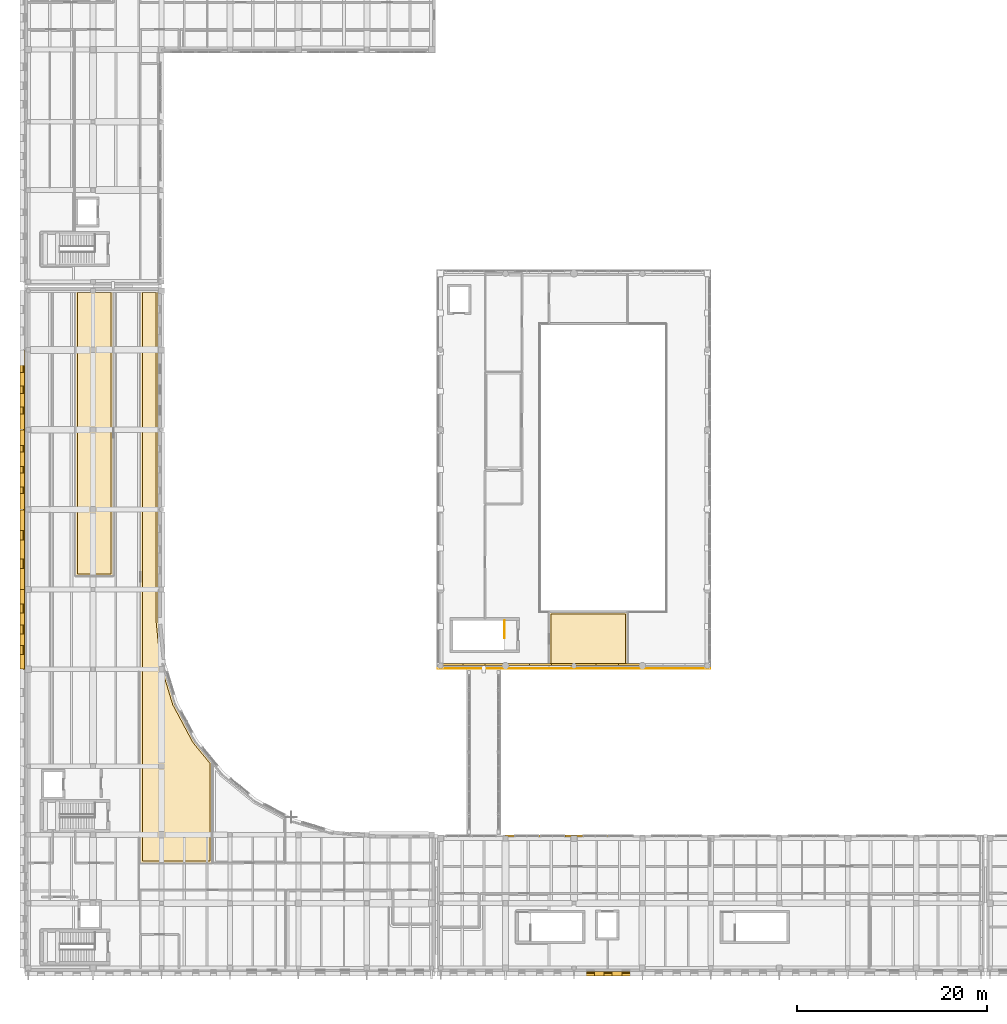
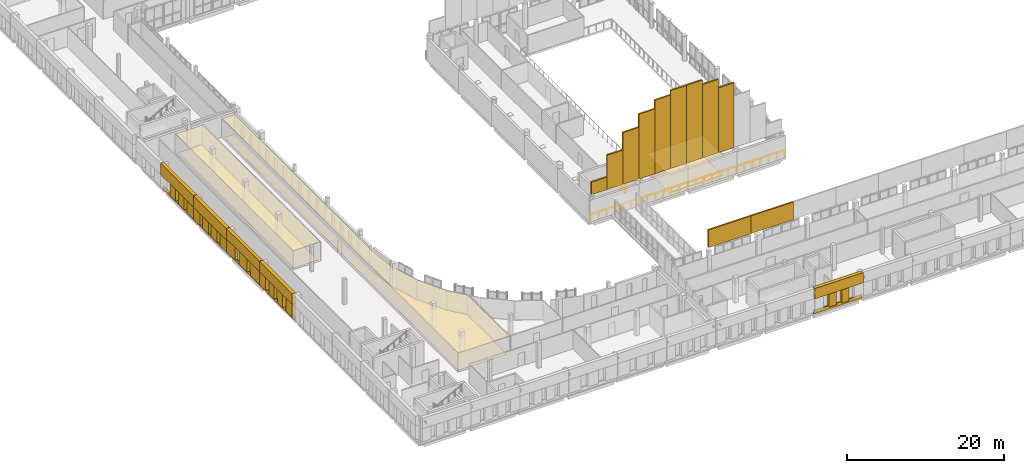
# One storey, part 67 of 76: 43 coverings, 2 railings.
"""IFC4 building model written with IfcOpenShell, lengths in metres."""

from ifc_helpers import new_model, si_unit, direction, frame, origin, origin_2d, place, context, subcontext, project, spatial, polyline, circle, outline, extrude, material, layer, layer_set, type_object, element, save


model = new_model("IFC4")

# Units and contexts
model_context = context("Model", 3, precision=1e-05, world=origin(), true_north=direction((0.0, 1.0)))
body_context = subcontext(model_context, "Body", "Model", "MODEL_VIEW")
ifc_project = project(units=[si_unit("LENGTHUNIT", "METRE"), si_unit("AREAUNIT", "SQUARE_METRE"), si_unit("VOLUMEUNIT", "CUBIC_METRE"), si_unit("PLANEANGLEUNIT", "RADIAN"), si_unit("MASSUNIT", "GRAM", prefix="KILO")], contexts=[model_context])

# Site, building, storey
site_placement = place(None, origin())
site = spatial("IfcSite", under=ifc_project, at=site_placement, CompositionType="ELEMENT")
building_placement = place(site_placement, origin())
building = spatial("IfcBuilding", under=site, at=building_placement, Name="Vardoun Plaza Health Centre", CompositionType="ELEMENT")
storey_placement = place(building_placement, frame((0.0, 0.0, 4.5)))
storey = spatial("IfcBuildingStorey", under=building, at=storey_placement, Name="L01", CompositionType="ELEMENT", Elevation=4.5)

# Coverings
ifc_material_1 = material(Name="Hygienic Acoustic Mineral-Fibre Ceiling", Category="concrete")
ifc_layer_1 = layer(ifc_material_1, 0.02490234375)
ifc_layer_set_1 = layer_set([ifc_layer_1], Name="Hygienic Acoustic Mineral-Fibre Ceiling")
covering_type_1 = type_object("IfcCoveringType", Name="CL-01", PredefinedType="CEILING", material=ifc_layer_set_1)
covering_1_placement = place(storey_placement, frame((0.0, 0.0, 2.8798828125)))
element("IfcCovering", 1, at=covering_1_placement, inside=storey, type_object=covering_type_1, Name="Waiting Concourse Gallery South Acoustic Ceiling", PredefinedType="CEILING", context=body_context, shape_type="SweptSolid", body=[
    extrude(outline(polyline([(59.679931640625, 36.659912109375), (59.679931640625, 42.340087890625), (67.909912109375, 42.340087890625), (67.909912109375, 36.659912109375), (59.679931640625, 36.659912109375)])), origin(), (0.0, 0.0, 1.0), 0.025146484375),
])
covering_2_placement = place(storey_placement, frame((0.0, 0.0, 2.8798828125)))
element("IfcCovering", 2, at=covering_2_placement, inside=storey, type_object=covering_type_1, Name="GP Consulting Room 11 Acoustic Ceiling", PredefinedType="CEILING", context=body_context, shape_type="SweptSolid", body=[
    extrude(outline(polyline([(18.541748046875, 41.365234375), (18.541748046875, 41.36474609375), (18.97412109375, 36.97509765625), (18.97412109375, 36.974609375), (18.97900390625, 36.940673828125), (18.979248046875, 36.939697265625), (18.98779296875, 36.906494140625), (18.98779296875, 36.906005859375), (20.268310546875, 32.68505859375), (20.268310546875, 32.6845703125), (20.27978515625, 32.65234375), (20.2802734375, 32.6513671875), (20.294921875, 32.620361328125), (20.295166015625, 32.619873046875), (22.37451171875, 28.72998046875), (22.37451171875, 28.7294921875), (22.392333984375, 28.7001953125), (22.392822265625, 28.69921875), (22.413330078125, 28.671630859375), (22.41357421875, 28.67138671875), (24.2099609375, 26.482421875), (24.2099609375, 15.929931640625), (16.679931640625, 15.929931640625), (16.679931640625, 76.139892578125), (18.5400390625, 76.139892578125), (18.5400390625, 41.39990234375), (18.5400390625, 41.3994140625), (18.541748046875, 41.365234375)])), origin(), (0.0, 0.0, 1.0), 0.025146484375),
])
covering_3_placement = place(storey_placement, frame((0.0, 0.0, 2.8798828125)))
element("IfcCovering", 3, at=covering_3_placement, inside=storey, type_object=covering_type_1, Name="GP Consulting Room 13 Acoustic Ceiling", PredefinedType="CEILING", context=body_context, shape_type="SweptSolid", body=[
    extrude(outline(polyline([(9.85009765625, 76.139892578125), (13.820068359375, 76.139892578125), (13.820068359375, 46.125), (9.85009765625, 46.125), (9.85009765625, 76.139892578125)])), origin(), (0.0, 0.0, 1.0), 0.025146484375),
])
ifc_material_2 = material(Name="Pale Limestone Concrete C35/45", Category="masonry")
ifc_layer_2 = layer(ifc_material_2, 0.080078125)
ifc_layer_set_2 = layer_set([ifc_layer_2], Name="Pale Limestone Concrete C35/45")
covering_type_2 = type_object("IfcCoveringType", Name="CL-EXT1", PredefinedType="CLADDING", material=ifc_layer_set_2)
covering_4_placement = place(storey_placement, origin())
element("IfcCovering", 4, at=covering_4_placement, inside=storey, type_object=covering_type_2, Name="V2 L01 Pale Concrete Sill Band 141", PredefinedType="CLADDING", context=body_context, shape_type="SweptSolid", body=[
    extrude(outline(polyline([(4.5, 36.320068359375), (4.5, 44.679931640625), (4.360107421875, 44.679931640625), (4.360107421875, 36.320068359375), (4.5, 36.320068359375)])), origin(), (0.0, 0.0, 1.0), 0.550048828125),
])
covering_5_placement = place(storey_placement, frame((0.0, 0.0, 2.570068359375)))
element("IfcCovering", 5, at=covering_5_placement, inside=storey, type_object=covering_type_2, Name="V2 L01 Sculpted Concrete Eyebrow Hood 142", PredefinedType="CLADDING", context=body_context, shape_type="SweptSolid", body=[
    extrude(outline(polyline([(4.5, 36.320068359375), (4.5, 44.679931640625), (4.02001953125, 44.679931640625), (4.02001953125, 36.320068359375), (4.5, 36.320068359375)])), origin(), (0.0, 0.0, 1.0), 1.6298828125),
])
covering_6_placement = place(storey_placement, frame((0.0, 0.0, 0.550048828125)))
element("IfcCovering", 6, at=covering_6_placement, inside=storey, type_object=covering_type_2, Name="V2 L01 Deep-Punched Slot Concrete Reveal Pier 143", PredefinedType="CLADDING", context=body_context, shape_type="SweptSolid", body=[
    extrude(outline(polyline([(4.5, 36.320068359375), (4.5, 37.85107421875), (4.02001953125, 37.85107421875), (4.02001953125, 36.320068359375), (4.5, 36.320068359375)])), origin(), (0.0, 0.0, 1.0), 2.02001953125),
])
covering_7_placement = place(storey_placement, frame((0.0, 0.0, 0.550048828125)))
element("IfcCovering", 7, at=covering_7_placement, inside=storey, type_object=covering_type_2, Name="V2 L01 Deep-Punched Slot Concrete Reveal Pier 144", PredefinedType="CLADDING", context=body_context, shape_type="SweptSolid", body=[
    extrude(outline(polyline([(4.5, 38.781005859375), (4.5, 40.034912109375), (4.02001953125, 40.034912109375), (4.02001953125, 38.781005859375), (4.5, 38.781005859375)])), origin(), (0.0, 0.0, 1.0), 2.02001953125),
])
covering_8_placement = place(storey_placement, frame((0.0, 0.0, 0.550048828125)))
element("IfcCovering", 8, at=covering_8_placement, inside=storey, type_object=covering_type_2, Name="V2 L01 Deep-Punched Slot Concrete Reveal Pier 145", PredefinedType="CLADDING", context=body_context, shape_type="SweptSolid", body=[
    extrude(outline(polyline([(4.5, 40.965087890625), (4.5, 42.218994140625), (4.02001953125, 42.218994140625), (4.02001953125, 40.965087890625), (4.5, 40.965087890625)])), origin(), (0.0, 0.0, 1.0), 2.02001953125),
])
covering_9_placement = place(storey_placement, frame((0.0, 0.0, 0.550048828125)))
element("IfcCovering", 9, at=covering_9_placement, inside=storey, type_object=covering_type_2, Name="V2 L01 Deep-Punched Slot Concrete Reveal Pier 146", PredefinedType="CLADDING", context=body_context, shape_type="SweptSolid", body=[
    extrude(outline(polyline([(4.5, 43.14892578125), (4.5, 44.679931640625), (4.02001953125, 44.679931640625), (4.02001953125, 43.14892578125), (4.5, 43.14892578125)])), origin(), (0.0, 0.0, 1.0), 2.02001953125),
])
covering_10_placement = place(storey_placement, origin())
element("IfcCovering", 10, at=covering_10_placement, inside=storey, type_object=covering_type_2, Name="V2 L01 Pale Concrete Sill Band 147", PredefinedType="CLADDING", context=body_context, shape_type="SweptSolid", body=[
    extrude(outline(polyline([(4.5, 44.719970703125), (4.5, 53.080078125), (4.360107421875, 53.080078125), (4.360107421875, 44.719970703125), (4.5, 44.719970703125)])), origin(), (0.0, 0.0, 1.0), 0.550048828125),
])
covering_11_placement = place(storey_placement, frame((0.0, 0.0, 2.570068359375)))
element("IfcCovering", 11, at=covering_11_placement, inside=storey, type_object=covering_type_2, Name="V2 L01 Sculpted Concrete Eyebrow Hood 148", PredefinedType="CLADDING", context=body_context, shape_type="SweptSolid", body=[
    extrude(outline(polyline([(4.5, 44.719970703125), (4.5, 53.080078125), (4.02001953125, 53.080078125), (4.02001953125, 44.719970703125), (4.5, 44.719970703125)])), origin(), (0.0, 0.0, 1.0), 1.6298828125),
])
covering_12_placement = place(storey_placement, frame((0.0, 0.0, 0.550048828125)))
element("IfcCovering", 12, at=covering_12_placement, inside=storey, type_object=covering_type_2, Name="V2 L01 Deep-Punched Slot Concrete Reveal Pier 149", PredefinedType="CLADDING", context=body_context, shape_type="SweptSolid", body=[
    extrude(outline(polyline([(4.5, 44.719970703125), (4.5, 46.89306640625), (4.02001953125, 46.89306640625), (4.02001953125, 44.719970703125), (4.5, 44.719970703125)])), origin(), (0.0, 0.0, 1.0), 2.02001953125),
])
covering_13_placement = place(storey_placement, frame((0.0, 0.0, 0.550048828125)))
element("IfcCovering", 13, at=covering_13_placement, inside=storey, type_object=covering_type_2, Name="V2 L01 Deep-Punched Slot Concrete Reveal Pier 150", PredefinedType="CLADDING", context=body_context, shape_type="SweptSolid", body=[
    extrude(outline(polyline([(4.5, 47.883056640625), (4.5, 49.9169921875), (4.02001953125, 49.9169921875), (4.02001953125, 47.883056640625), (4.5, 47.883056640625)])), origin(), (0.0, 0.0, 1.0), 2.02001953125),
])
covering_14_placement = place(storey_placement, frame((0.0, 0.0, 0.550048828125)))
element("IfcCovering", 14, at=covering_14_placement, inside=storey, type_object=covering_type_2, Name="V2 L01 Deep-Punched Slot Concrete Reveal Pier 151", PredefinedType="CLADDING", context=body_context, shape_type="SweptSolid", body=[
    extrude(outline(polyline([(4.5, 50.906982421875), (4.5, 53.080078125), (4.02001953125, 53.080078125), (4.02001953125, 50.906982421875), (4.5, 50.906982421875)])), origin(), (0.0, 0.0, 1.0), 2.02001953125),
])
covering_15_placement = place(storey_placement, origin())
element("IfcCovering", 15, at=covering_15_placement, inside=storey, type_object=covering_type_2, Name="V2 L01 Pale Concrete Sill Band 152", PredefinedType="CLADDING", context=body_context, shape_type="SweptSolid", body=[
    extrude(outline(polyline([(4.5, 53.1201171875), (4.5, 61.47998046875), (4.360107421875, 61.47998046875), (4.360107421875, 53.1201171875), (4.5, 53.1201171875)])), origin(), (0.0, 0.0, 1.0), 0.550048828125),
])
covering_16_placement = place(storey_placement, frame((0.0, 0.0, 2.39990234375)))
element("IfcCovering", 16, at=covering_16_placement, inside=storey, type_object=covering_type_2, Name="V2 L01 Sculpted Concrete Eyebrow Hood 153", PredefinedType="CLADDING", context=body_context, shape_type="SweptSolid", body=[
    extrude(outline(polyline([(4.5, 53.1201171875), (4.5, 61.47998046875), (4.02001953125, 61.47998046875), (4.02001953125, 53.1201171875), (4.5, 53.1201171875)])), origin(), (0.0, 0.0, 1.0), 1.800048828125),
])
covering_17_placement = place(storey_placement, frame((0.0, 0.0, 0.550048828125)))
element("IfcCovering", 17, at=covering_17_placement, inside=storey, type_object=covering_type_2, Name="V2 L01 Deep-Punched Slot Concrete Reveal Pier 154", PredefinedType="CLADDING", context=body_context, shape_type="SweptSolid", body=[
    extrude(outline(polyline([(4.5, 53.1201171875), (4.5, 54.77587890625), (4.02001953125, 54.77587890625), (4.02001953125, 53.1201171875), (4.5, 53.1201171875)])), origin(), (0.0, 0.0, 1.0), 1.849853515625),
])
covering_18_placement = place(storey_placement, frame((0.0, 0.0, 0.550048828125)))
element("IfcCovering", 18, at=covering_18_placement, inside=storey, type_object=covering_type_2, Name="V2 L01 Deep-Punched Slot Concrete Reveal Pier 155", PredefinedType="CLADDING", context=body_context, shape_type="SweptSolid", body=[
    extrude(outline(polyline([(4.5, 55.4560546875), (4.5, 56.9599609375), (4.02001953125, 56.9599609375), (4.02001953125, 55.4560546875), (4.5, 55.4560546875)])), origin(), (0.0, 0.0, 1.0), 1.849853515625),
])
covering_19_placement = place(storey_placement, frame((0.0, 0.0, 0.550048828125)))
element("IfcCovering", 19, at=covering_19_placement, inside=storey, type_object=covering_type_2, Name="V2 L01 Deep-Punched Slot Concrete Reveal Pier 156", PredefinedType="CLADDING", context=body_context, shape_type="SweptSolid", body=[
    extrude(outline(polyline([(4.5, 57.639892578125), (4.5, 59.14404296875), (4.02001953125, 59.14404296875), (4.02001953125, 57.639892578125), (4.5, 57.639892578125)])), origin(), (0.0, 0.0, 1.0), 1.849853515625),
])
covering_20_placement = place(storey_placement, frame((0.0, 0.0, 0.550048828125)))
element("IfcCovering", 20, at=covering_20_placement, inside=storey, type_object=covering_type_2, Name="V2 L01 Deep-Punched Slot Concrete Reveal Pier 157", PredefinedType="CLADDING", context=body_context, shape_type="SweptSolid", body=[
    extrude(outline(polyline([(4.5, 59.823974609375), (4.5, 61.47998046875), (4.02001953125, 61.47998046875), (4.02001953125, 59.823974609375), (4.5, 59.823974609375)])), origin(), (0.0, 0.0, 1.0), 1.849853515625),
])
covering_21_placement = place(storey_placement, origin())
element("IfcCovering", 21, at=covering_21_placement, inside=storey, type_object=covering_type_2, Name="V2 L01 Pale Concrete Sill Band 158", PredefinedType="CLADDING", context=body_context, shape_type="SweptSolid", body=[
    extrude(outline(polyline([(4.5, 61.52001953125), (4.5, 69.8798828125), (4.360107421875, 69.8798828125), (4.360107421875, 61.52001953125), (4.5, 61.52001953125)])), origin(), (0.0, 0.0, 1.0), 0.550048828125),
])
covering_22_placement = place(storey_placement, frame((0.0, 0.0, 2.39990234375)))
element("IfcCovering", 22, at=covering_22_placement, inside=storey, type_object=covering_type_2, Name="V2 L01 Sculpted Concrete Eyebrow Hood 159", PredefinedType="CLADDING", context=body_context, shape_type="SweptSolid", body=[
    extrude(outline(polyline([(4.5, 61.52001953125), (4.5, 69.8798828125), (4.02001953125, 69.8798828125), (4.02001953125, 61.52001953125), (4.5, 61.52001953125)])), origin(), (0.0, 0.0, 1.0), 1.800048828125),
])
covering_23_placement = place(storey_placement, frame((0.0, 0.0, 0.550048828125)))
element("IfcCovering", 23, at=covering_23_placement, inside=storey, type_object=covering_type_2, Name="V2 L01 Deep-Punched Slot Concrete Reveal Pier 160", PredefinedType="CLADDING", context=body_context, shape_type="SweptSolid", body=[
    extrude(outline(polyline([(4.5, 61.52001953125), (4.5, 63.135986328125), (4.02001953125, 63.135986328125), (4.02001953125, 61.52001953125), (4.5, 61.52001953125)])), origin(), (0.0, 0.0, 1.0), 1.849853515625),
])
covering_24_placement = place(storey_placement, frame((0.0, 0.0, 0.550048828125)))
element("IfcCovering", 24, at=covering_24_placement, inside=storey, type_object=covering_type_2, Name="V2 L01 Deep-Punched Slot Concrete Reveal Pier 161", PredefinedType="CLADDING", context=body_context, shape_type="SweptSolid", body=[
    extrude(outline(polyline([(4.5, 63.89599609375), (4.5, 65.320068359375), (4.02001953125, 65.320068359375), (4.02001953125, 63.89599609375), (4.5, 63.89599609375)])), origin(), (0.0, 0.0, 1.0), 1.849853515625),
])
covering_25_placement = place(storey_placement, frame((0.0, 0.0, 0.550048828125)))
element("IfcCovering", 25, at=covering_25_placement, inside=storey, type_object=covering_type_2, Name="V2 L01 Deep-Punched Slot Concrete Reveal Pier 162", PredefinedType="CLADDING", context=body_context, shape_type="SweptSolid", body=[
    extrude(outline(polyline([(4.5, 66.080078125), (4.5, 67.50390625), (4.02001953125, 67.50390625), (4.02001953125, 66.080078125), (4.5, 66.080078125)])), origin(), (0.0, 0.0, 1.0), 1.849853515625),
])
covering_26_placement = place(storey_placement, origin())
element("IfcCovering", 26, at=covering_26_placement, inside=storey, type_object=covering_type_2, Name="V4 L01 Pale Concrete Sill Band 1053", PredefinedType="CLADDING", context=body_context, shape_type="SweptSolid", body=[
    extrude(outline(polyline([(69.4599609375, 4.5), (62.300048828125, 4.5), (62.300048828125, 4.360107421875), (69.4599609375, 4.360107421875), (69.4599609375, 4.5)])), origin(), (0.0, 0.0, 1.0), 0.550048828125),
])
covering_27_placement = place(storey_placement, frame((0.0, 0.0, 2.590087890625)))
element("IfcCovering", 27, at=covering_27_placement, inside=storey, type_object=covering_type_2, Name="V4 L01 Sculpted Concrete Eyebrow Hood 1054", PredefinedType="CLADDING", context=body_context, shape_type="SweptSolid", body=[
    extrude(outline(polyline([(69.4599609375, 4.5), (62.300048828125, 4.5), (62.300048828125, 4.02001953125), (69.4599609375, 4.02001953125), (69.4599609375, 4.5)])), origin(), (0.0, 0.0, 1.0), 1.60986328125),
])
covering_28_placement = place(storey_placement, frame((0.0, 0.0, 0.550048828125)))
element("IfcCovering", 28, at=covering_28_placement, inside=storey, type_object=covering_type_2, Name="V4 L01 Deep-Punched Slot Concrete Reveal Pier 1056", PredefinedType="CLADDING", context=body_context, shape_type="SweptSolid", body=[
    extrude(outline(polyline([(67.33203125, 4.5), (66.300048828125, 4.5), (66.300048828125, 4.02001953125), (67.33203125, 4.02001953125), (67.33203125, 4.5)])), origin(), (0.0, 0.0, 1.0), 2.0400390625),
])
covering_29_placement = place(storey_placement, frame((0.0, 0.0, 0.550048828125)))
element("IfcCovering", 29, at=covering_29_placement, inside=storey, type_object=covering_type_2, Name="V4 L01 Deep-Punched Slot Concrete Reveal Pier 1057", PredefinedType="CLADDING", context=body_context, shape_type="SweptSolid", body=[
    extrude(outline(polyline([(65.4599609375, 4.5), (64.427978515625, 4.5), (64.427978515625, 4.02001953125), (65.4599609375, 4.02001953125), (65.4599609375, 4.5)])), origin(), (0.0, 0.0, 1.0), 2.0400390625),
])
covering_30_placement = place(storey_placement, frame((0.0, 0.0, 4.199951171875)))
element("IfcCovering", 30, at=covering_30_placement, inside=storey, type_object=covering_type_2, Name="Sculpted Concrete Roof Gable Cladding V4-N.1", PredefinedType="CLADDING", context=body_context, shape_type="SweptSolid", body=[
    extrude(outline(polyline([(55.080078125, 18.659912109375), (61.35009765625, 18.659912109375), (61.35009765625, 18.8798828125), (55.080078125, 18.8798828125), (55.080078125, 18.659912109375)])), origin(), (0.0, 0.0, 1.0), 2.75),
])
covering_31_placement = place(storey_placement, frame((0.0, 0.0, 4.199951171875)))
element("IfcCovering", 31, at=covering_31_placement, inside=storey, type_object=covering_type_2, Name="Sculpted Concrete Roof Gable Cladding V4-N.2", PredefinedType="CLADDING", context=body_context, shape_type="SweptSolid", body=[
    extrude(outline(polyline([(61.35009765625, 18.659912109375), (67.6201171875, 18.659912109375), (67.6201171875, 18.8798828125), (61.35009765625, 18.8798828125), (61.35009765625, 18.659912109375)])), origin(), (0.0, 0.0, 1.0), 2.75),
])
covering_32_placement = place(storey_placement, frame((0.0, 0.0, 3.89990234375)))
element("IfcCovering", 32, at=covering_32_placement, inside=storey, type_object=covering_type_2, Name="Sculpted Concrete Roof Gable Cladding V1-S.1", PredefinedType="CLADDING", context=body_context, shape_type="SweptSolid", body=[
    extrude(outline(polyline([(48.260009765625, 36.679931640625), (50.5966796875, 36.679931640625), (50.5966796875, 36.89990234375), (48.260009765625, 36.89990234375), (48.260009765625, 36.679931640625)])), origin(), (0.0, 0.0, 1.0), 1.94873046875),
])
covering_33_placement = place(storey_placement, frame((0.0, 0.0, 3.89990234375)))
element("IfcCovering", 33, at=covering_33_placement, inside=storey, type_object=covering_type_2, Name="Sculpted Concrete Roof Gable Cladding V1-S.2", PredefinedType="CLADDING", context=body_context, shape_type="SweptSolid", body=[
    extrude(outline(polyline([(50.5966796875, 36.679931640625), (52.933349609375, 36.679931640625), (52.933349609375, 36.89990234375), (50.5966796875, 36.89990234375), (50.5966796875, 36.679931640625)])), origin(), (0.0, 0.0, 1.0), 5.337646484375),
])
covering_34_placement = place(storey_placement, frame((0.0, 0.0, 3.89990234375)))
element("IfcCovering", 34, at=covering_34_placement, inside=storey, type_object=covering_type_2, Name="Sculpted Concrete Roof Gable Cladding V1-S.3", PredefinedType="CLADDING", context=body_context, shape_type="SweptSolid", body=[
    extrude(outline(polyline([(52.933349609375, 36.679931640625), (55.27001953125, 36.679931640625), (55.27001953125, 36.89990234375), (52.933349609375, 36.89990234375), (52.933349609375, 36.679931640625)])), origin(), (0.0, 0.0, 1.0), 8.048583984375),
])
covering_35_placement = place(storey_placement, frame((0.0, 0.0, 3.89990234375)))
element("IfcCovering", 35, at=covering_35_placement, inside=storey, type_object=covering_type_2, Name="Sculpted Concrete Roof Gable Cladding V1-S.4", PredefinedType="CLADDING", context=body_context, shape_type="SweptSolid", body=[
    extrude(outline(polyline([(55.27001953125, 36.679931640625), (57.606689453125, 36.679931640625), (57.606689453125, 36.89990234375), (55.27001953125, 36.89990234375), (55.27001953125, 36.679931640625)])), origin(), (0.0, 0.0, 1.0), 10.08203125),
])
covering_36_placement = place(storey_placement, frame((0.0, 0.0, 3.89990234375)))
element("IfcCovering", 36, at=covering_36_placement, inside=storey, type_object=covering_type_2, Name="Sculpted Concrete Roof Gable Cladding V1-S.5", PredefinedType="CLADDING", context=body_context, shape_type="SweptSolid", body=[
    extrude(outline(polyline([(57.606689453125, 36.679931640625), (59.943359375, 36.679931640625), (59.943359375, 36.89990234375), (57.606689453125, 36.89990234375), (57.606689453125, 36.679931640625)])), origin(), (0.0, 0.0, 1.0), 11.4375),
])
covering_37_placement = place(storey_placement, frame((0.0, 0.0, 3.89990234375)))
element("IfcCovering", 37, at=covering_37_placement, inside=storey, type_object=covering_type_2, Name="Sculpted Concrete Roof Gable Cladding V1-S.6", PredefinedType="CLADDING", context=body_context, shape_type="SweptSolid", body=[
    extrude(outline(polyline([(59.943359375, 36.679931640625), (62.280029296875, 36.679931640625), (62.280029296875, 36.89990234375), (59.943359375, 36.89990234375), (59.943359375, 36.679931640625)])), origin(), (0.0, 0.0, 1.0), 12.115478515625),
])
covering_38_placement = place(storey_placement, frame((0.0, 0.0, 3.89990234375)))
element("IfcCovering", 38, at=covering_38_placement, inside=storey, type_object=covering_type_2, Name="Sculpted Concrete Roof Gable Cladding V1-S.7", PredefinedType="CLADDING", context=body_context, shape_type="SweptSolid", body=[
    extrude(outline(polyline([(62.280029296875, 36.679931640625), (64.61669921875, 36.679931640625), (64.61669921875, 36.89990234375), (62.280029296875, 36.89990234375), (62.280029296875, 36.679931640625)])), origin(), (0.0, 0.0, 1.0), 12.115478515625),
])
covering_39_placement = place(storey_placement, frame((0.0, 0.0, 3.89990234375)))
element("IfcCovering", 39, at=covering_39_placement, inside=storey, type_object=covering_type_2, Name="Sculpted Concrete Roof Gable Cladding V1-S.8", PredefinedType="CLADDING", context=body_context, shape_type="SweptSolid", body=[
    extrude(outline(polyline([(64.61669921875, 36.679931640625), (66.953369140625, 36.679931640625), (66.953369140625, 36.89990234375), (64.61669921875, 36.89990234375), (64.61669921875, 36.679931640625)])), origin(), (0.0, 0.0, 1.0), 11.4375),
])
covering_40_placement = place(storey_placement, frame((0.0, 0.0, 3.89990234375)))
element("IfcCovering", 40, at=covering_40_placement, inside=storey, type_object=covering_type_2, Name="Sculpted Concrete Roof Gable Cladding V1-S.9", PredefinedType="CLADDING", context=body_context, shape_type="SweptSolid", body=[
    extrude(outline(polyline([(66.953369140625, 36.679931640625), (69.2900390625, 36.679931640625), (69.2900390625, 36.89990234375), (66.953369140625, 36.89990234375), (66.953369140625, 36.679931640625)])), origin(), (0.0, 0.0, 1.0), 10.08203125),
])
ifc_material_3 = material(Name="Polished Lebanese Limestone Terrazzo", Category="masonry")
ifc_layer_3 = layer(ifc_material_3, 0.030029296875)
ifc_layer_set_3 = layer_set([ifc_layer_3], Name="Polished Lebanese Limestone Terrazzo")
covering_type_3 = type_object("IfcCoveringType", Name="FL-02", PredefinedType="FLOORING", material=ifc_layer_set_3)
covering_41_placement = place(storey_placement, origin())
element("IfcCovering", 41, at=covering_41_placement, inside=storey, type_object=covering_type_3, Name="Waiting Concourse Gallery South Floor Finish", PredefinedType="FLOORING", context=body_context, shape_type="SweptSolid", body=[
    extrude(outline(polyline([(59.889892578125, 36.8701171875), (59.889892578125, 42.1298828125), (67.699951171875, 42.1298828125), (67.699951171875, 36.8701171875), (59.889892578125, 36.8701171875)])), origin(), (0.0, 0.0, 1.0), 0.030029296875),
])
ifc_material_4 = material(Name="Seamless Conductive Clinical Vinyl Flooring", Category="concrete")
ifc_layer_4 = layer(ifc_material_4, 0.014892578125)
ifc_layer_set_4 = layer_set([ifc_layer_4], Name="Seamless Conductive Clinical Vinyl Flooring")
covering_type_4 = type_object("IfcCoveringType", Name="FL-01", PredefinedType="FLOORING", material=ifc_layer_set_4)
covering_42_placement = place(storey_placement, origin())
element("IfcCovering", 42, at=covering_42_placement, inside=storey, type_object=covering_type_4, Name="GP Consulting Room 11 Floor Finish", PredefinedType="FLOORING", context=body_context, shape_type="SweptSolid", body=[
    extrude(outline(polyline([(18.33203125, 41.354736328125), (18.332763671875, 41.343994140625), (18.76513671875, 36.95458984375), (18.766357421875, 36.944091796875), (18.771240234375, 36.91015625), (18.775634765625, 36.888427734375), (18.7841796875, 36.85498046875), (18.786865234375, 36.844970703125), (20.0673828125, 32.6240234375), (20.070556640625, 32.6142578125), (20.08203125, 32.581787109375), (20.09033203125, 32.561767578125), (20.10498046875, 32.530517578125), (20.110107421875, 32.52099609375), (22.189208984375, 28.631103515625), (22.194580078125, 28.62158203125), (22.21240234375, 28.592041015625), (22.22412109375, 28.57421875), (22.24462890625, 28.546630859375), (22.251220703125, 28.5380859375), (24.0, 26.4072265625), (24.0, 16.139892578125), (16.889892578125, 16.139892578125), (16.889892578125, 75.929931640625), (18.330078125, 75.929931640625), (18.330078125, 41.39990234375), (18.330322265625, 41.38916015625), (18.33203125, 41.354736328125)])), origin(), (0.0, 0.0, 1.0), 0.014892578125),
])
covering_43_placement = place(storey_placement, origin())
element("IfcCovering", 43, at=covering_43_placement, inside=storey, type_object=covering_type_4, Name="GP Consulting Room 13 Floor Finish", PredefinedType="FLOORING", context=body_context, shape_type="SweptSolid", body=[
    extrude(outline(polyline([(10.06005859375, 75.929931640625), (13.610107421875, 75.929931640625), (13.610107421875, 46.3349609375), (10.06005859375, 46.3349609375), (10.06005859375, 75.929931640625)])), origin(), (0.0, 0.0, 1.0), 0.014892578125),
])

# Railings
ifc_material_5 = material(Name="Painted Steel S275JR Stair-Well Guardrail", Category="steel")
railing_type = type_object("IfcRailingType", Name="GR-04", PredefinedType="GUARDRAIL", material=ifc_material_5)
railing_1_placement = place(storey_placement, frame((54.989990234375, 39.60498046875, 0.0)))
element("IfcRailing", 44, at=railing_1_placement, inside=storey, type_object=railing_type, Name="Stair ST-C5-L00 Upper Landing Well Guard", PredefinedType="GUARDRAIL", context=body_context, shape_type="SweptSolid", body=[
    extrude(circle(Radius=0.02392578125, at=origin_2d()), frame((0.0, 0.0, 1.09619140625), z_axis=(0.0, 1.0, 0.0), x_axis=(-1.0, 0.0, 0.0)), (0.0, 0.0, 1.0), 1.81494140625),
    extrude(circle(Radius=0.02099609375, at=origin_2d()), origin(), (0.0, 0.0, 1.0), 1.072021484375),
    extrude(circle(Radius=0.02099609375, at=origin_2d()), frame((0.0, 0.907470703125, 0.0)), (0.0, 0.0, 1.0), 1.072021484375),
    extrude(circle(Radius=0.02099609375, at=origin_2d()), frame((0.0, 1.81494140625, 0.0)), (0.0, 0.0, 1.0), 1.072021484375),
])
railing_2_placement = place(storey_placement, frame((47.97998046875, 36.3798828125, 0.0)))
element("IfcRailing", 45, at=railing_2_placement, inside=storey, Name="Waiting Hall L01 Perimeter Edge Guard 3", PredefinedType="GUARDRAIL", context=body_context, shape_type="SweptSolid", body=[
    extrude(circle(Radius=0.02392578125, at=origin_2d()), frame((0.0, 0.0, 1.1259765625), z_axis=(1.0, 0.0, 0.0), x_axis=(0.0, 1.0, 0.0)), (0.0, 0.0, 1.0), 28.60009765625),
    extrude(circle(Radius=0.02099609375, at=origin_2d()), origin(), (0.0, 0.0, 1.0), 1.101806640625),
    extrude(circle(Radius=0.02099609375, at=origin_2d()), frame((1.191650390625, 0.0, 0.0)), (0.0, 0.0, 1.0), 1.101806640625),
    extrude(circle(Radius=0.02099609375, at=origin_2d()), frame((2.38330078125, 0.0, 0.0)), (0.0, 0.0, 1.0), 1.101806640625),
    extrude(circle(Radius=0.02099609375, at=origin_2d()), frame((3.574951171875, 0.0, 0.0)), (0.0, 0.0, 1.0), 1.101806640625),
    extrude(circle(Radius=0.02099609375, at=origin_2d()), frame((4.7666015625, 0.0, 0.0)), (0.0, 0.0, 1.0), 1.101806640625),
    extrude(circle(Radius=0.02099609375, at=origin_2d()), frame((5.958251953125, 0.0, 0.0)), (0.0, 0.0, 1.0), 1.101806640625),
    extrude(circle(Radius=0.02099609375, at=origin_2d()), frame((7.14990234375, 0.0, 0.0)), (0.0, 0.0, 1.0), 1.101806640625),
    extrude(circle(Radius=0.02099609375, at=origin_2d()), frame((8.341796875, 0.0, 0.0)), (0.0, 0.0, 1.0), 1.101806640625),
    extrude(circle(Radius=0.02099609375, at=origin_2d()), frame((9.533447265625, 0.0, 0.0)), (0.0, 0.0, 1.0), 1.101806640625),
    extrude(circle(Radius=0.02099609375, at=origin_2d()), frame((10.72509765625, 0.0, 0.0)), (0.0, 0.0, 1.0), 1.101806640625),
    extrude(circle(Radius=0.02099609375, at=origin_2d()), frame((11.916748046875, 0.0, 0.0)), (0.0, 0.0, 1.0), 1.101806640625),
    extrude(circle(Radius=0.02099609375, at=origin_2d()), frame((13.1083984375, 0.0, 0.0)), (0.0, 0.0, 1.0), 1.101806640625),
    extrude(circle(Radius=0.02099609375, at=origin_2d()), frame((14.300048828125, 0.0, 0.0)), (0.0, 0.0, 1.0), 1.101806640625),
    extrude(circle(Radius=0.02099609375, at=origin_2d()), frame((15.49169921875, 0.0, 0.0)), (0.0, 0.0, 1.0), 1.101806640625),
    extrude(circle(Radius=0.02099609375, at=origin_2d()), frame((16.683349609375, 0.0, 0.0)), (0.0, 0.0, 1.0), 1.101806640625),
    extrude(circle(Radius=0.02099609375, at=origin_2d()), frame((17.875, 0.0, 0.0)), (0.0, 0.0, 1.0), 1.101806640625),
    extrude(circle(Radius=0.02099609375, at=origin_2d()), frame((19.066650390625, 0.0, 0.0)), (0.0, 0.0, 1.0), 1.101806640625),
    extrude(circle(Radius=0.02099609375, at=origin_2d()), frame((20.25830078125, 0.0, 0.0)), (0.0, 0.0, 1.0), 1.101806640625),
    extrude(circle(Radius=0.02099609375, at=origin_2d()), frame((21.4501953125, 0.0, 0.0)), (0.0, 0.0, 1.0), 1.101806640625),
    extrude(circle(Radius=0.02099609375, at=origin_2d()), frame((22.641845703125, 0.0, 0.0)), (0.0, 0.0, 1.0), 1.101806640625),
    extrude(circle(Radius=0.02099609375, at=origin_2d()), frame((23.83349609375, 0.0, 0.0)), (0.0, 0.0, 1.0), 1.101806640625),
    extrude(circle(Radius=0.02099609375, at=origin_2d()), frame((25.025146484375, 0.0, 0.0)), (0.0, 0.0, 1.0), 1.101806640625),
    extrude(circle(Radius=0.02099609375, at=origin_2d()), frame((26.216796875, 0.0, 0.0)), (0.0, 0.0, 1.0), 1.101806640625),
    extrude(circle(Radius=0.02099609375, at=origin_2d()), frame((27.408447265625, 0.0, 0.0)), (0.0, 0.0, 1.0), 1.101806640625),
    extrude(circle(Radius=0.02099609375, at=origin_2d()), frame((28.60009765625, 0.0, 0.0)), (0.0, 0.0, 1.0), 1.101806640625),
])

save(model, "model.ifc")
